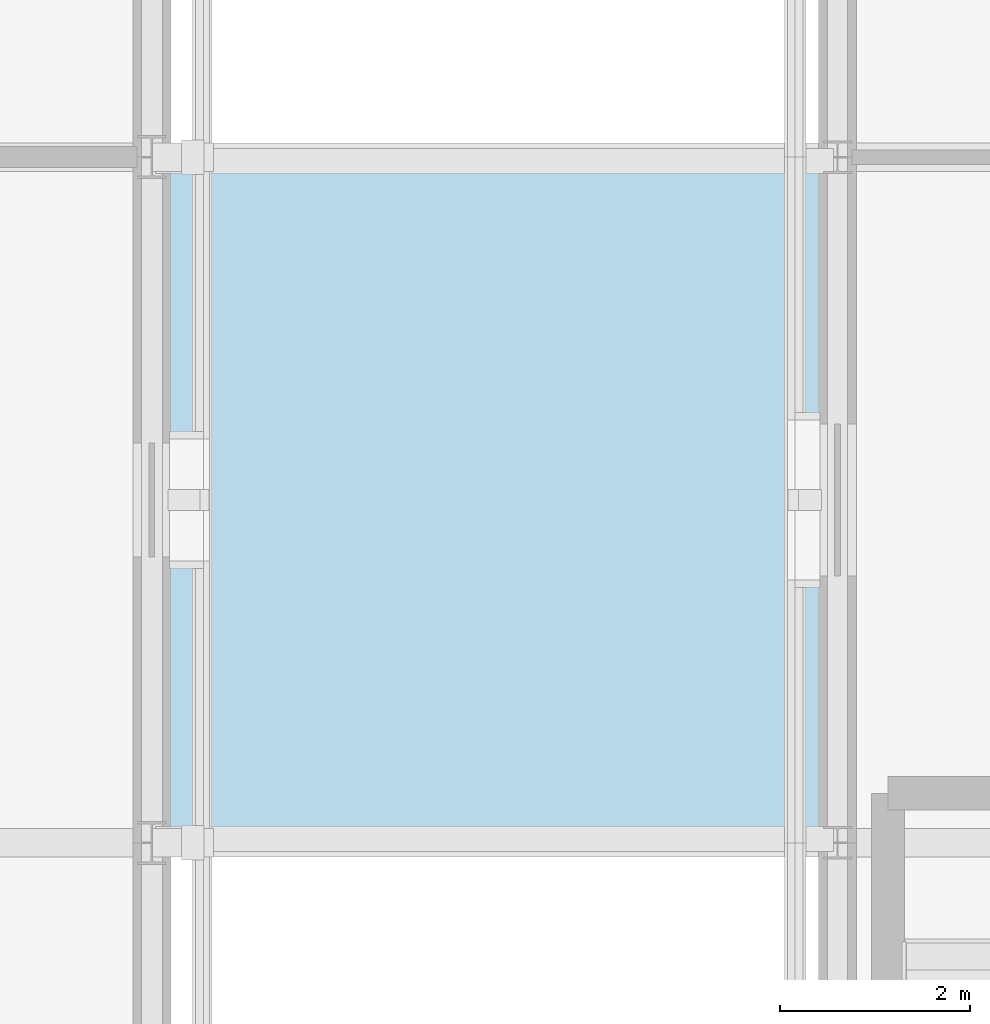
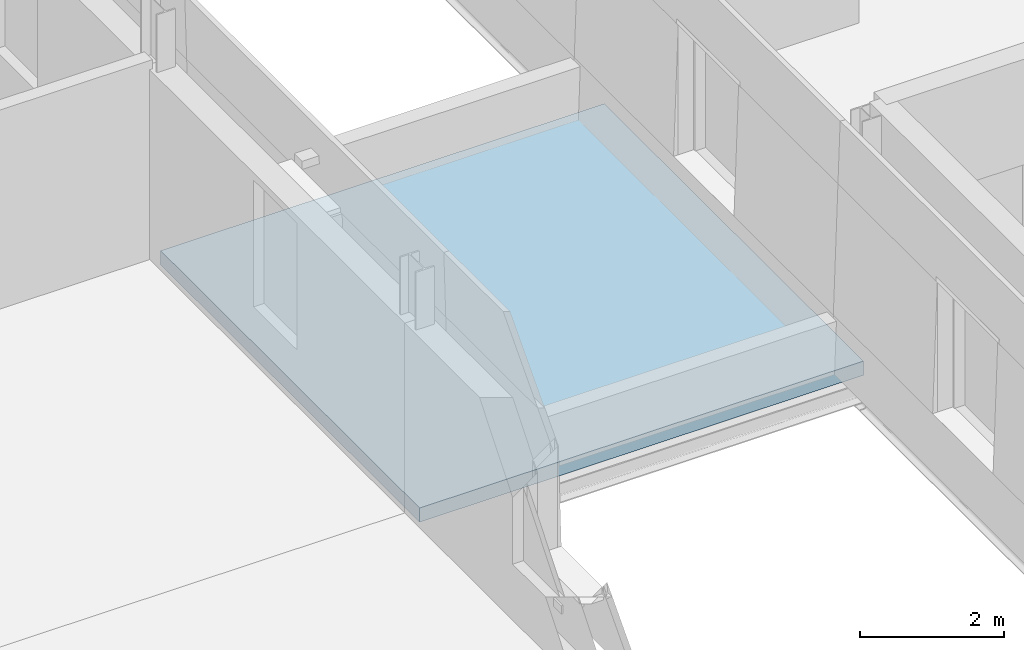
# One storey, part 42 of 91: 1 slab.
"""IFC4 building model written with IfcOpenShell, lengths in metres."""

from ifc_helpers import new_model, si_unit, direction, frame, origin, place, context, subcontext, project, spatial, polyline, outline, extrude, material, layer, layer_set, type_object, element, save


model = new_model("IFC4")

# Units and contexts
model_context = context("Model", 3, precision=1e-05, world=origin(), true_north=direction((0.0, 1.0)))
body_context = subcontext(model_context, "Body", "Model", "MODEL_VIEW")
ifc_project = project(units=[si_unit("LENGTHUNIT", "METRE"), si_unit("AREAUNIT", "SQUARE_METRE"), si_unit("VOLUMEUNIT", "CUBIC_METRE"), si_unit("PLANEANGLEUNIT", "RADIAN"), si_unit("MASSUNIT", "GRAM", prefix="KILO")], contexts=[model_context])

# Site, building, storey
site_placement = place(None, origin())
site = spatial("IfcSite", under=ifc_project, at=site_placement, CompositionType="ELEMENT")
building_placement = place(site_placement, origin())
building = spatial("IfcBuilding", under=site, at=building_placement, Name="Narikvali Park Central Library", CompositionType="ELEMENT")
storey_placement = place(building_placement, frame((0.0, 0.0, 14.39990234375)))
storey = spatial("IfcBuildingStorey", under=building, at=storey_placement, Name="L03", CompositionType="ELEMENT", Elevation=14.39990234375)

# Slab
ifc_material = material(Name="Concrete C35/45", Category="concrete")
ifc_layer = layer(ifc_material, 0.239990234375, Name="Concrete C35/45")
ifc_layer_set = layer_set([ifc_layer], Name="Concrete C35/45")
slab_type = type_object("IfcSlabType", Name="Flat Acoustic Roof Slab 240", PredefinedType="ROOF", material=ifc_layer_set)
slab_placement = place(storey_placement, frame((0.0, 0.0, -0.239990234375)))
element("IfcSlab", 1, at=slab_placement, inside=storey, type_object=slab_type, Name="BRG-1 L03 Bridge Roof Slab", PredefinedType="ROOF", context=body_context, shape_type="SweptSolid", body=[
    extrude(outline(polyline([(21.639892578125, 64.800048828125), (28.760009765625, 64.800048828125), (28.760009765625, 72.0), (21.639892578125, 72.0), (21.639892578125, 64.800048828125)])), origin(), (0.0, 0.0, 1.0), 0.239990234375),
])

save(model, "model.ifc")
